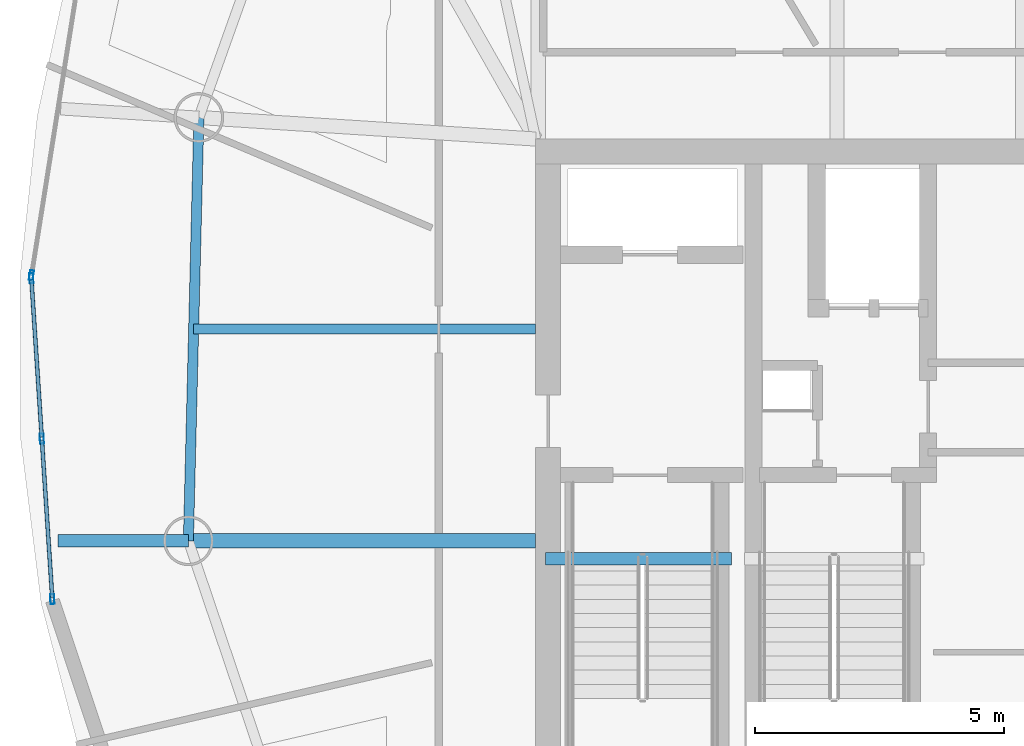
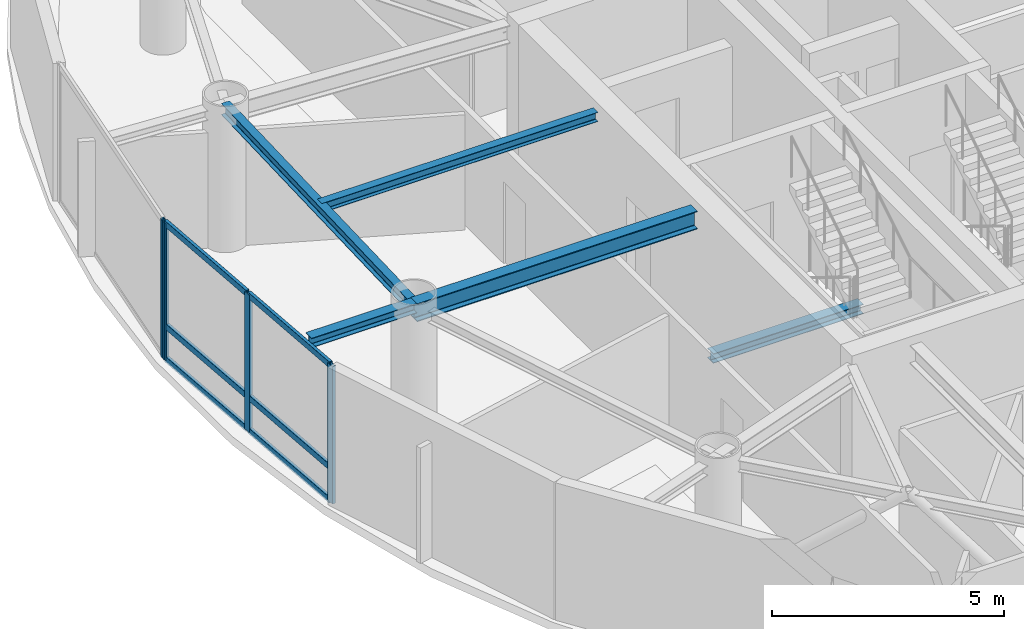
# One storey, part 4 of 18: 10 members, 5 beams, 2 elements without a shape of their own.
"""IFC4 building model written with IfcOpenShell, lengths in metres."""

from ifc_helpers import new_model, si_unit, direction, frame, origin, origin_2d, place, context, subcontext, project, spatial, hollow_rectangle, i_section, extrude, material, layer, layer_set, material_profile, profile_set, type_object, element, aggregate, save


model = new_model("IFC4")

# Units and contexts
model_context = context("Model", 3, precision=1e-05, world=origin(), true_north=direction((0.0, 1.0)))
body_context = subcontext(model_context, "Body", "Model", "MODEL_VIEW")
ifc_project = project(units=[si_unit("LENGTHUNIT", "METRE"), si_unit("AREAUNIT", "SQUARE_METRE"), si_unit("VOLUMEUNIT", "CUBIC_METRE"), si_unit("PLANEANGLEUNIT", "RADIAN"), si_unit("MASSUNIT", "GRAM", prefix="KILO")], contexts=[model_context])

# Site, building, storey
site_placement = place(None, origin())
site = spatial("IfcSite", under=ifc_project, at=site_placement, CompositionType="ELEMENT")
building_placement = place(site_placement, origin())
building = spatial("IfcBuilding", under=site, at=building_placement, Name="Bramvorn Convention Spire", CompositionType="ELEMENT")
storey_placement = place(building_placement, frame((0.0, 0.0, 288.25)))
storey = spatial("IfcBuildingStorey", under=building, at=storey_placement, Name="L73", CompositionType="ELEMENT", Elevation=288.25)

# Beams
ifc_material_1 = material(Name="Steel CSA G40.21 Grade 350 (350W)", Category="steel")
ifc_material_profile_1 = material_profile(ifc_material_1, i_section(OverallWidth=0.201904296875, OverallDepth=0.2470703125, WebThickness=0.00732421875, FlangeThickness=0.010986328125, FilletRadius=0.011962890625, at=origin_2d()))
ifc_profile_set_1 = profile_set([ifc_material_profile_1], Name="Steel CSA G40.21 Grade 350 (350W) - W250X49")
beam_type_1 = type_object("IfcBeamType", Name="BM-W250X49", PredefinedType="JOIST", material=ifc_profile_set_1)
beam_1_placement = place(storey_placement, frame((26.75, 29.626953125, 3.50146484375), z_axis=(-1.0, 0.0, 0.0), x_axis=(0.0, -1.0, 0.0)))
element("IfcBeam", 1, at=beam_1_placement, inside=storey, type_object=beam_type_1, Name="L73 composite floor joist 11", PredefinedType="JOIST", context=body_context, shape_type="SweptSolid", body=[
    extrude(i_section(OverallWidth=0.201904296875, OverallDepth=0.2470703125, WebThickness=0.00732421875, FlangeThickness=0.010986328125, FilletRadius=0.011962890625, at=origin_2d()), origin(), (0.0, 0.0, 1.0), 6.879150390625),
])
ifc_material_profile_2 = material_profile(ifc_material_1, i_section(OverallWidth=0.25390625, OverallDepth=0.2529296875, WebThickness=0.008544921875, FlangeThickness=0.01416015625, FilletRadius=0.011962890625, at=origin_2d()))
ifc_profile_set_2 = profile_set([ifc_material_profile_2], Name="Steel CSA G40.21 Grade 350 (350W) - W250X73")
beam_type_2 = type_object("IfcBeamType", Name="BM-W250X73", PredefinedType="BEAM", material=ifc_profile_set_2)
beam_2_placement = place(storey_placement, frame((19.765380859375, 25.37060546875, 3.49853515625), z_axis=(-1.0, 0.0, 0.0), x_axis=(0.0, -1.0, 0.0)))
element("IfcBeam", 2, at=beam_2_placement, inside=storey, type_object=beam_type_2, Name="L73 slab-edge cantilever tip beam MC12", PredefinedType="BEAM", context=body_context, shape_type="SweptSolid", body=[
    extrude(i_section(OverallWidth=0.25390625, OverallDepth=0.2529296875, WebThickness=0.008544921875, FlangeThickness=0.01416015625, FilletRadius=0.011962890625, at=origin_2d()), origin(), (0.0, 0.0, 1.0), 2.6259765625),
])
beam_3_placement = place(storey_placement, frame((26.949951171875, 25.010009765625, -0.12646484375), z_axis=(1.0, 0.0, 0.0), x_axis=(0.0, 1.0, 0.0)))
element("IfcBeam", 3, at=beam_3_placement, inside=storey, type_object=beam_type_2, Name="L73 ST1 stair arrival header beam", PredefinedType="BEAM", context=body_context, shape_type="SweptSolid", body=[
    extrude(i_section(OverallWidth=0.25390625, OverallDepth=0.2529296875, WebThickness=0.008544921875, FlangeThickness=0.01416015625, FilletRadius=0.011962890625, at=origin_2d()), origin(), (0.0, 0.0, 1.0), 3.739990234375),
])
ifc_material_profile_3 = material_profile(ifc_material_1, i_section(OverallWidth=0.202880859375, OverallDepth=0.302978515625, WebThickness=0.007568359375, FlangeThickness=0.01318359375, FilletRadius=0.013916015625, at=origin_2d()))
ifc_profile_set_3 = profile_set([ifc_material_profile_3], Name="Steel CSA G40.21 Grade 350 (350W) - W310X60")
beam_type_3 = type_object("IfcBeamType", Name="BM-W310X60", PredefinedType="JOIST", material=ifc_profile_set_3)
beam_4_placement = place(storey_placement, frame((19.976318359375, 33.883544921875, 3.473388671875), z_axis=(-0.024770853371, -0.999693155335, 0.0), x_axis=(0.999693155335, -0.024770853371, 0.0)))
element("IfcBeam", 4, at=beam_4_placement, inside=storey, type_object=beam_type_3, Name="L73 mega-column ring beam 11", PredefinedType="JOIST", context=body_context, shape_type="SweptSolid", body=[
    extrude(i_section(OverallWidth=0.202880859375, OverallDepth=0.302978515625, WebThickness=0.007568359375, FlangeThickness=0.01318359375, FilletRadius=0.013916015625, at=origin_2d()), origin(), (0.0, 0.0, 1.0), 8.515625),
])
ifc_material_profile_4 = material_profile(ifc_material_1, i_section(OverallWidth=0.283935546875, OverallDepth=0.47607421875, WebThickness=0.014892578125, FlangeThickness=0.02392578125, FilletRadius=0.01806640625, at=origin_2d()))
ifc_profile_set_4 = profile_set([ifc_material_profile_4], Name="Steel CSA G40.21 Grade 350 (350W) - W460X158")
beam_type_4 = type_object("IfcBeamType", Name="BM-W460X158", PredefinedType="SPANDREL", material=ifc_profile_set_4)
beam_5_placement = place(storey_placement, frame((26.75, 25.37060546875, 3.386962890625), z_axis=(-1.0, 0.0, 0.0), x_axis=(0.0, -1.0, 0.0)))
element("IfcBeam", 5, at=beam_5_placement, inside=storey, type_object=beam_type_4, Name="L73 radial floor girder MC12", PredefinedType="SPANDREL", context=body_context, shape_type="SweptSolid", body=[
    extrude(i_section(OverallWidth=0.283935546875, OverallDepth=0.47607421875, WebThickness=0.014892578125, FlangeThickness=0.02392578125, FilletRadius=0.01806640625, at=origin_2d()), origin(), (0.0, 0.0, 1.0), 6.984619140625),
])

# Curtain wall, member
ifc_material_2 = material(Name="Anodised Bronze Unitised Curtain Wall", Category="aluminium")
ifc_layer = layer(ifc_material_2, 0.179931640625)
ifc_layer_set = layer_set([ifc_layer], Name="Anodised Bronze Unitised Curtain Wall - CW-OFF-FRIT")
curtain_wall_type = type_object("IfcCurtainWallType", Name="CW-OFF-FRIT", PredefinedType="USERDEFINED", material=ifc_layer_set)
curtain_wall_1_placement = place(storey_placement, origin())
curtain_wall_1 = element("IfcCurtainWall", 6, at=curtain_wall_1_placement, inside=storey, type_object=curtain_wall_type, Name="L73 fritted glass curtain wall 16", ObjectType="UNITISED CURTAIN WALL", PredefinedType="USERDEFINED")
ifc_material_3 = material(Name="Anodised Bronze Aluminium 6063-T6", Category="aluminium")
ifc_material_profile_5 = material_profile(ifc_material_3, hollow_rectangle(XDim=0.080078125, YDim=0.199951171875, WallThickness=0.00390625, InnerFilletRadius=0.0009765625, OuterFilletRadius=0.00390625, at=origin_2d()))
ifc_profile_set_5 = profile_set([ifc_material_profile_5], Name="Anodised Bronze Aluminium 6063-T6 - CWM80X200")
member_type_1 = type_object("IfcMemberType", Name="CW-MUL-180", PredefinedType="MULLION", material=ifc_profile_set_5)
member_1_placement = place(storey_placement, frame((16.60986328125, 30.709716796875, 0.0), z_axis=(0.0, 0.0, 1.0), x_axis=(-0.98760863423, 0.156936884111, 0.0)))
member_1 = element("IfcMember", 7, at=member_1_placement, type_object=member_type_1, Name="CW3 mullion 1", PredefinedType="MULLION", context=body_context, shape_type="SweptSolid", body=[
    extrude(hollow_rectangle(XDim=0.080078125, YDim=0.199951171875, WallThickness=0.00390625, InnerFilletRadius=0.0009765625, OuterFilletRadius=0.00390625, at=origin_2d()), origin(), (0.0, 0.0, 1.0), 3.625),
])
aggregate(curtain_wall_1, [member_1])

# Curtain wall, members
curtain_wall_2_placement = place(storey_placement, origin())
curtain_wall_2 = element("IfcCurtainWall", 8, at=curtain_wall_2_placement, inside=storey, type_object=curtain_wall_type, Name="L73 fritted glass curtain wall 17", ObjectType="UNITISED CURTAIN WALL", PredefinedType="USERDEFINED")
member_2_placement = place(storey_placement, frame((17.029052734375, 24.19775390625, 0.0), z_axis=(0.0, 0.0, 1.0), x_axis=(-0.99786730208, -0.065275167092, 0.0)))
member_2 = element("IfcMember", 9, at=member_2_placement, type_object=member_type_1, Name="CW3 mullion 1", PredefinedType="MULLION", context=body_context, shape_type="SweptSolid", body=[
    extrude(hollow_rectangle(XDim=0.080078125, YDim=0.199951171875, WallThickness=0.00390625, InnerFilletRadius=0.0009765625, OuterFilletRadius=0.00390625, at=origin_2d()), origin(), (0.0, 0.0, 1.0), 3.625),
])
member_3_placement = place(storey_placement, frame((16.818115234375, 27.423828125, 0.0), z_axis=(0.0, 0.0, 1.0), x_axis=(-0.99786730208, -0.065275167092, 0.0)))
member_3 = element("IfcMember", 10, at=member_3_placement, type_object=member_type_1, Name="CW3 mullion 2", PredefinedType="MULLION", context=body_context, shape_type="SweptSolid", body=[
    extrude(hollow_rectangle(XDim=0.080078125, YDim=0.199951171875, WallThickness=0.00390625, InnerFilletRadius=0.0009765625, OuterFilletRadius=0.00390625, at=origin_2d()), origin(), (0.0, 0.0, 1.0), 3.625),
])
member_4_placement = place(storey_placement, frame((16.607177734375, 30.650146484375, 0.0), z_axis=(0.0, 0.0, 1.0), x_axis=(-0.99786730208, -0.065275167092, 0.0)))
member_4 = element("IfcMember", 11, at=member_4_placement, type_object=member_type_1, Name="CW3 mullion 3", PredefinedType="MULLION", context=body_context, shape_type="SweptSolid", body=[
    extrude(hollow_rectangle(XDim=0.080078125, YDim=0.199951171875, WallThickness=0.00390625, InnerFilletRadius=0.0009765625, OuterFilletRadius=0.00390625, at=origin_2d()), origin(), (0.0, 0.0, 1.0), 3.625),
])
ifc_material_profile_6 = material_profile(ifc_material_3, hollow_rectangle(XDim=0.080078125, YDim=0.159912109375, WallThickness=0.00390625, InnerFilletRadius=0.0009765625, OuterFilletRadius=0.00390625, at=origin_2d()))
ifc_profile_set_6 = profile_set([ifc_material_profile_6], Name="Anodised Bronze Aluminium 6063-T6 - CWT80X160")
member_type_2 = type_object("IfcMemberType", Name="CW-TRN-150", PredefinedType="USERDEFINED", material=ifc_profile_set_6)
member_5_placement = place(storey_placement, frame((17.027099609375, 24.227783203125, 0.030029296875), z_axis=(-0.065247360192, 0.997869120671, 0.0), x_axis=(-0.997869120671, -0.065247360192, 0.0)))
member_5 = element("IfcMember", 12, at=member_5_placement, type_object=member_type_2, Name="CW3 transom 1.1", ObjectType="TRANSOM", PredefinedType="USERDEFINED", context=body_context, shape_type="SweptSolid", body=[
    extrude(hollow_rectangle(XDim=0.080078125, YDim=0.159912109375, WallThickness=0.00390625, InnerFilletRadius=0.0009765625, OuterFilletRadius=0.00390625, at=origin_2d()), origin(), (0.0, 0.0, 1.0), 3.173095703125),
])
member_6_placement = place(storey_placement, frame((17.027099609375, 24.227783203125, 0.89990234375), z_axis=(-0.065247360192, 0.997869120671, 0.0), x_axis=(-0.997869120671, -0.065247360192, 0.0)))
member_6 = element("IfcMember", 13, at=member_6_placement, type_object=member_type_2, Name="CW3 transom 1.2", ObjectType="TRANSOM", PredefinedType="USERDEFINED", context=body_context, shape_type="SweptSolid", body=[
    extrude(hollow_rectangle(XDim=0.080078125, YDim=0.159912109375, WallThickness=0.00390625, InnerFilletRadius=0.0009765625, OuterFilletRadius=0.00390625, at=origin_2d()), origin(), (0.0, 0.0, 1.0), 3.173095703125),
])
member_7_placement = place(storey_placement, frame((17.027099609375, 24.227783203125, 3.594970703125), z_axis=(-0.065247360192, 0.997869120671, 0.0), x_axis=(-0.997869120671, -0.065247360192, 0.0)))
member_7 = element("IfcMember", 14, at=member_7_placement, type_object=member_type_2, Name="CW3 transom 1.3", ObjectType="TRANSOM", PredefinedType="USERDEFINED", context=body_context, shape_type="SweptSolid", body=[
    extrude(hollow_rectangle(XDim=0.080078125, YDim=0.159912109375, WallThickness=0.00390625, InnerFilletRadius=0.0009765625, OuterFilletRadius=0.00390625, at=origin_2d()), origin(), (0.0, 0.0, 1.0), 3.173095703125),
])
member_8_placement = place(storey_placement, frame((16.816162109375, 27.453857421875, 0.030029296875), z_axis=(-0.065247360192, 0.997869120671, 0.0), x_axis=(-0.997869120671, -0.065247360192, 0.0)))
member_8 = element("IfcMember", 15, at=member_8_placement, type_object=member_type_2, Name="CW3 transom 2.1", ObjectType="TRANSOM", PredefinedType="USERDEFINED", context=body_context, shape_type="SweptSolid", body=[
    extrude(hollow_rectangle(XDim=0.080078125, YDim=0.159912109375, WallThickness=0.00390625, InnerFilletRadius=0.0009765625, OuterFilletRadius=0.00390625, at=origin_2d()), origin(), (0.0, 0.0, 1.0), 3.173095703125),
])
member_9_placement = place(storey_placement, frame((16.816162109375, 27.453857421875, 0.89990234375), z_axis=(-0.065247360192, 0.997869120671, 0.0), x_axis=(-0.997869120671, -0.065247360192, 0.0)))
member_9 = element("IfcMember", 16, at=member_9_placement, type_object=member_type_2, Name="CW3 transom 2.2", ObjectType="TRANSOM", PredefinedType="USERDEFINED", context=body_context, shape_type="SweptSolid", body=[
    extrude(hollow_rectangle(XDim=0.080078125, YDim=0.159912109375, WallThickness=0.00390625, InnerFilletRadius=0.0009765625, OuterFilletRadius=0.00390625, at=origin_2d()), origin(), (0.0, 0.0, 1.0), 3.173095703125),
])
member_10_placement = place(storey_placement, frame((16.816162109375, 27.453857421875, 3.594970703125), z_axis=(-0.065247360192, 0.997869120671, 0.0), x_axis=(-0.997869120671, -0.065247360192, 0.0)))
member_10 = element("IfcMember", 17, at=member_10_placement, type_object=member_type_2, Name="CW3 transom 2.3", ObjectType="TRANSOM", PredefinedType="USERDEFINED", context=body_context, shape_type="SweptSolid", body=[
    extrude(hollow_rectangle(XDim=0.080078125, YDim=0.159912109375, WallThickness=0.00390625, InnerFilletRadius=0.0009765625, OuterFilletRadius=0.00390625, at=origin_2d()), origin(), (0.0, 0.0, 1.0), 3.173095703125),
])
aggregate(curtain_wall_2, [member_2, member_3, member_4, member_5, member_6, member_7, member_8, member_9, member_10])

save(model, "model.ifc")
